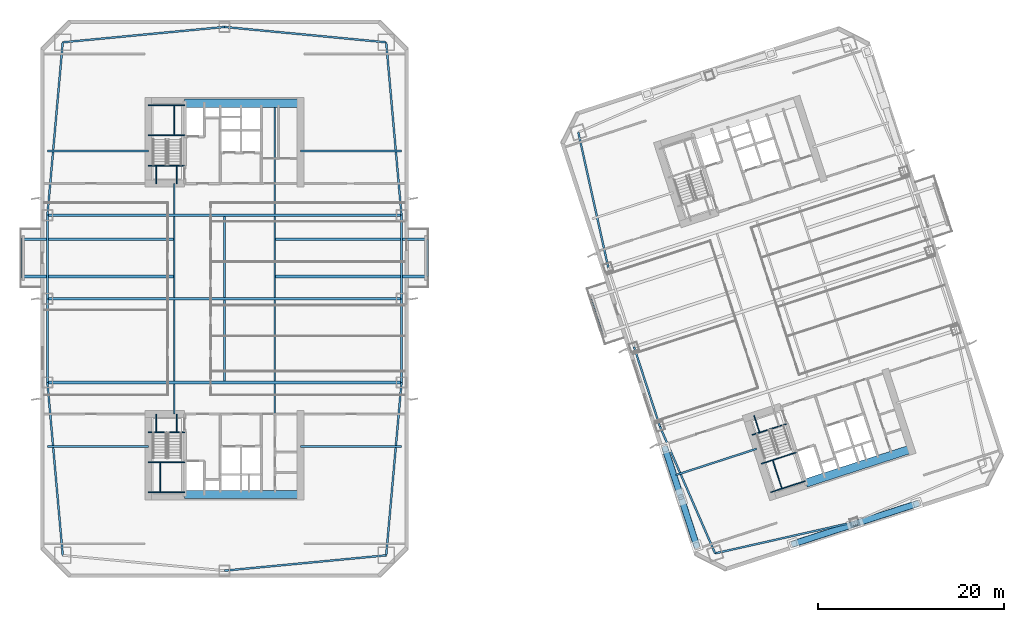
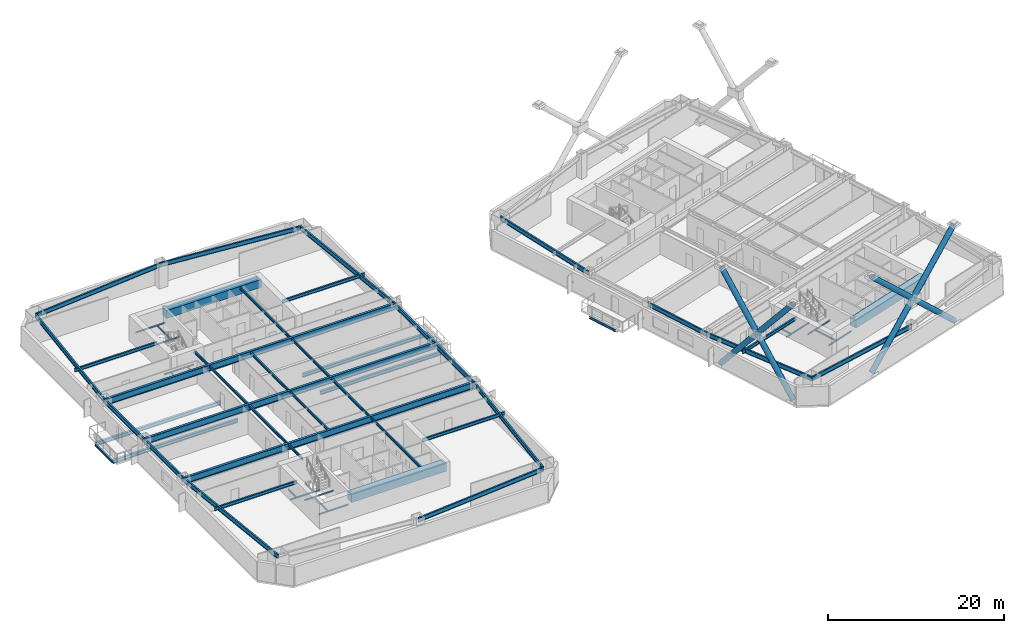
# One storey, part 3 of 19: 60 beams, 8 members.
"""IFC4 building model written with IfcOpenShell, lengths in metres."""

from ifc_helpers import new_model, si_unit, direction, frame, origin, origin_2d, place, context, subcontext, project, spatial, rectangle, hollow_circle, i_section, extrude, material, material_profile, profile_set, type_object, element, save


model = new_model("IFC4")

# Units and contexts
model_context = context("Model", 3, precision=1e-05, world=origin(), true_north=direction((0.0, 1.0)))
body_context = subcontext(model_context, "Body", "Model", "MODEL_VIEW")
ifc_project = project(units=[si_unit("LENGTHUNIT", "METRE"), si_unit("AREAUNIT", "SQUARE_METRE"), si_unit("VOLUMEUNIT", "CUBIC_METRE"), si_unit("PLANEANGLEUNIT", "RADIAN"), si_unit("MASSUNIT", "GRAM", prefix="KILO")], contexts=[model_context])

# Site, building, storey
site_placement = place(None, origin())
site = spatial("IfcSite", under=ifc_project, at=site_placement, CompositionType="ELEMENT")
building_placement = place(site_placement, origin())
building = spatial("IfcBuilding", under=site, at=building_placement, Name="Qiaolan Cultural Towers", CompositionType="ELEMENT")
storey_placement = place(building_placement, frame((0.0, 0.0, 78.199951171875)))
storey = spatial("IfcBuildingStorey", under=building, at=storey_placement, Name="L19", CompositionType="ELEMENT", Elevation=78.199951171875)

# Beams
ifc_material_1 = material(Name="Steel Q355B", Category="steel")
ifc_material_profile_1 = material_profile(ifc_material_1, i_section(OverallWidth=0.300048828125, OverallDepth=0.488037109375, WebThickness=0.010986328125, FlangeThickness=0.01806640625, at=origin_2d()), Name="HM488x300x11x18")
ifc_profile_set_1 = profile_set([ifc_material_profile_1], Name="Steel Q355B")
beam_type_1 = type_object("IfcBeamType", Name="BM-HM488x300x11x18", PredefinedType="BEAM", material=ifc_profile_set_1)
for number, where, z_axis, x_axis, name in (
    (1, (24.60009765625, 36.39990234375, -0.52392578125), (-1.0, 0.0, 0.0), (0.0, -1.0, 0.0), "L19 T1 Tree Balcony Back-Spanned Bracket Beam"),
    (2, (24.60009765625, 40.39990234375, -0.52392578125), (-1.0, 0.0, 0.0), (0.0, -1.0, 0.0), "L19 T1 Tree Balcony Back-Spanned Bracket Beam"),
    (3, (35.39990234375, 36.39990234375, -0.52392578125), (1.0, 0.0, 0.0), (0.0, 1.0, 0.0), "L19 T1 Tree Balcony Back-Spanned Bracket Beam"),
    (4, (35.39990234375, 40.39990234375, -0.52392578125), (1.0, 0.0, 0.0), (0.0, 1.0, 0.0), "L19 T1 Tree Balcony Back-Spanned Bracket Beam"),
):
    element("IfcBeam", number, at=place(storey_placement, frame(where, z_axis=z_axis, x_axis=x_axis)), inside=storey, type_object=beam_type_1, Name=name, PredefinedType="BEAM", context=body_context, shape_type="SweptSolid", body=[
        extrude(i_section(OverallWidth=0.300048828125, OverallDepth=0.488037109375, WebThickness=0.010986328125, FlangeThickness=0.01806640625, at=origin_2d()), origin(), (0.0, 0.0, 1.0), 16.4501953125),
    ])
ifc_material_2 = material(Name="Steel Q355B", Category="steel")
ifc_material_profile_2 = material_profile(ifc_material_2, i_section(OverallWidth=0.300048828125, OverallDepth=0.89990234375, WebThickness=0.01611328125, FlangeThickness=0.028076171875, at=origin_2d()), Name="HN900x300x16x28")
ifc_profile_set_2 = profile_set([ifc_material_profile_2], Name="Steel Q355B")
beam_type_2 = type_object("IfcBeamType", Name="BM-HN900x300x16x28", PredefinedType="BEAM", material=ifc_profile_set_2)
for number, where, z_axis, x_axis, name in (
    (5, (10.949951171875, 25.0, 2.739990234375), (1.0, 0.0, 0.0), (0.0, 1.0, 0.0), "L19 T1 Primary Transverse Girder V1"),
    (6, (10.949951171875, 34.0, 2.739990234375), (1.0, 0.0, 0.0), (0.0, 1.0, 0.0), "L19 T1 Primary Transverse Girder V2"),
    (7, (10.949951171875, 43.0, 2.739990234375), (1.0, 0.0, 0.0), (0.0, 1.0, 0.0), "L19 T1 Primary Transverse Girder V3"),
):
    element("IfcBeam", number, at=place(storey_placement, frame(where, z_axis=z_axis, x_axis=x_axis)), inside=storey, type_object=beam_type_2, Name=name, PredefinedType="BEAM", context=body_context, shape_type="SweptSolid", body=[
        extrude(i_section(OverallWidth=0.300048828125, OverallDepth=0.89990234375, WebThickness=0.01611328125, FlangeThickness=0.028076171875, at=origin_2d()), origin(), (0.0, 0.0, 1.0), 38.10009765625),
    ])
ifc_material_3 = material(Name="Steel Q355B", Category="steel")
ifc_material_profile_3 = material_profile(ifc_material_3, i_section(OverallWidth=0.175048828125, OverallDepth=0.35009765625, WebThickness=0.007080078125, FlangeThickness=0.010986328125, at=origin_2d()), Name="HN350x175x7x11")
ifc_profile_set_3 = profile_set([ifc_material_profile_3], Name="Steel Q355B")
beam_type_3 = type_object("IfcBeamType", Name="BM-JST-HN350x175x7x11", PredefinedType="JOIST", material=ifc_profile_set_3)
for number, where, z_axis, x_axis, name in (
    (8, (8.14990234375, 36.39990234375, -0.52392578125), (0.0, 1.0, 0.0), (-1.0, 0.0, 0.0), "L19 T1 Tree Balcony Outer Edge Beam"),
    (9, (51.85009765625, 36.39990234375, -0.52392578125), (0.0, 1.0, 0.0), (-1.0, 0.0, 0.0), "L19 T1 Tree Balcony Outer Edge Beam"),
    (10, (70.665283203125, 30.2412109375, -0.52392578125), (-0.309022586479, 0.951054699292, 0.0), (-0.951054699292, -0.309022586479, 0.0), "L19 T2 Tree Balcony Outer Edge Beam"),
):
    element("IfcBeam", number, at=place(storey_placement, frame(where, z_axis=z_axis, x_axis=x_axis)), inside=storey, type_object=beam_type_3, Name=name, PredefinedType="JOIST", context=body_context, shape_type="SweptSolid", body=[
        extrude(i_section(OverallWidth=0.175048828125, OverallDepth=0.35009765625, WebThickness=0.007080078125, FlangeThickness=0.010986328125, at=origin_2d()), origin(), (0.0, 0.0, 1.0), 4.0),
    ])
beam_1_placement = place(storey_placement, frame((24.60009765625, 21.60009765625, 3.01513671875), z_axis=(0.0, 1.0, 0.0), x_axis=(-1.0, 0.0, 0.0)))
element("IfcBeam", 11, at=beam_1_placement, inside=storey, type_object=beam_type_3, Name="L19 T1 Secondary Floor Joist U1-1", PredefinedType="JOIST", context=body_context, shape_type="SweptSolid", body=[
    extrude(i_section(OverallWidth=0.175048828125, OverallDepth=0.35009765625, WebThickness=0.007080078125, FlangeThickness=0.010986328125, at=origin_2d()), origin(), (0.0, 0.0, 1.0), 3.25),
])
for number, where, z_axis, x_axis, name in (
    (12, (24.60009765625, 25.14990234375, 3.01513671875), (0.0, 1.0, 0.0), (-1.0, 0.0, 0.0), "L19 T1 Secondary Floor Joist U1-2"),
    (13, (24.60009765625, 34.14990234375, 3.01513671875), (0.0, 1.0, 0.0), (-1.0, 0.0, 0.0), "L19 T1 Secondary Floor Joist U1-3"),
):
    element("IfcBeam", number, at=place(storey_placement, frame(where, z_axis=z_axis, x_axis=x_axis)), inside=storey, type_object=beam_type_3, Name=name, PredefinedType="JOIST", context=body_context, shape_type="SweptSolid", body=[
        extrude(i_section(OverallWidth=0.175048828125, OverallDepth=0.35009765625, WebThickness=0.007080078125, FlangeThickness=0.010986328125, at=origin_2d()), origin(), (0.0, 0.0, 1.0), 8.7001953125),
    ])
beam_2_placement = place(storey_placement, frame((24.60009765625, 43.14990234375, 3.01513671875), z_axis=(0.0, 1.0, 0.0), x_axis=(-1.0, 0.0, 0.0)))
element("IfcBeam", 14, at=beam_2_placement, inside=storey, type_object=beam_type_3, Name="L19 T1 Secondary Floor Joist U1-4", PredefinedType="JOIST", context=body_context, shape_type="SweptSolid", body=[
    extrude(i_section(OverallWidth=0.175048828125, OverallDepth=0.35009765625, WebThickness=0.007080078125, FlangeThickness=0.010986328125, at=origin_2d()), origin(), (0.0, 0.0, 1.0), 3.25),
])
for number, where, z_axis, x_axis, name in (
    (15, (30.0, 25.14990234375, 3.01513671875), (0.0, 1.0, 0.0), (-1.0, 0.0, 0.0), "L19 T1 Secondary Floor Joist U2-2"),
    (16, (30.0, 34.14990234375, 3.01513671875), (0.0, 1.0, 0.0), (-1.0, 0.0, 0.0), "L19 T1 Secondary Floor Joist U2-3"),
):
    element("IfcBeam", number, at=place(storey_placement, frame(where, z_axis=z_axis, x_axis=x_axis)), inside=storey, type_object=beam_type_3, Name=name, PredefinedType="JOIST", context=body_context, shape_type="SweptSolid", body=[
        extrude(i_section(OverallWidth=0.175048828125, OverallDepth=0.35009765625, WebThickness=0.007080078125, FlangeThickness=0.010986328125, at=origin_2d()), origin(), (0.0, 0.0, 1.0), 8.7001953125),
    ])
beam_3_placement = place(storey_placement, frame((35.39990234375, 13.39990234375, 3.01513671875), z_axis=(0.0, 1.0, 0.0), x_axis=(-1.0, 0.0, 0.0)))
element("IfcBeam", 17, at=beam_3_placement, inside=storey, type_object=beam_type_3, Name="L19 T1 Secondary Floor Joist U3-1", PredefinedType="JOIST", context=body_context, shape_type="SweptSolid", body=[
    extrude(i_section(OverallWidth=0.175048828125, OverallDepth=0.35009765625, WebThickness=0.007080078125, FlangeThickness=0.010986328125, at=origin_2d()), origin(), (0.0, 0.0, 1.0), 11.4501953125),
])
for number, where, z_axis, x_axis, name in (
    (18, (35.39990234375, 25.14990234375, 3.01513671875), (0.0, 1.0, 0.0), (-1.0, 0.0, 0.0), "L19 T1 Secondary Floor Joist U3-2"),
    (19, (35.39990234375, 34.14990234375, 3.01513671875), (0.0, 1.0, 0.0), (-1.0, 0.0, 0.0), "L19 T1 Secondary Floor Joist U3-3"),
):
    element("IfcBeam", number, at=place(storey_placement, frame(where, z_axis=z_axis, x_axis=x_axis)), inside=storey, type_object=beam_type_3, Name=name, PredefinedType="JOIST", context=body_context, shape_type="SweptSolid", body=[
        extrude(i_section(OverallWidth=0.175048828125, OverallDepth=0.35009765625, WebThickness=0.007080078125, FlangeThickness=0.010986328125, at=origin_2d()), origin(), (0.0, 0.0, 1.0), 8.7001953125),
    ])
beam_4_placement = place(storey_placement, frame((35.39990234375, 43.14990234375, 3.01513671875), z_axis=(0.0, 1.0, 0.0), x_axis=(-1.0, 0.0, 0.0)))
element("IfcBeam", 20, at=beam_4_placement, inside=storey, type_object=beam_type_3, Name="L19 T1 Secondary Floor Joist U3-4", PredefinedType="JOIST", context=body_context, shape_type="SweptSolid", body=[
    extrude(i_section(OverallWidth=0.175048828125, OverallDepth=0.35009765625, WebThickness=0.007080078125, FlangeThickness=0.010986328125, at=origin_2d()), origin(), (0.0, 0.0, 1.0), 11.4501953125),
])
ifc_material_4 = material(Name="Steel Q355B", Category="steel")
ifc_material_profile_4 = material_profile(ifc_material_4, i_section(OverallWidth=0.199951171875, OverallDepth=0.449951171875, WebThickness=0.009033203125, FlangeThickness=0.013916015625, at=origin_2d()), Name="HN450x200x9x14")
ifc_profile_set_4 = profile_set([ifc_material_profile_4], Name="Steel Q355B")
beam_type_4 = type_object("IfcBeamType", Name="BM-LNT-HN450x200x9x14", PredefinedType="LINTEL", material=ifc_profile_set_4)
for number, where, z_axis, x_axis, name in (
    (21, (21.800048828125, 18.10009765625, 2.965087890625), (-1.0, 0.0, 0.0), (0.0, -1.0, 0.0), "L19 T1 Core Flank Tie Lintel WS"),
    (22, (21.800048828125, 49.89990234375, 2.965087890625), (-1.0, 0.0, 0.0), (0.0, -1.0, 0.0), "L19 T1 Core Flank Tie Lintel WN"),
    (23, (38.199951171875, 18.10009765625, 2.965087890625), (1.0, 0.0, 0.0), (0.0, 1.0, 0.0), "L19 T1 Core Flank Tie Lintel ES"),
    (24, (38.199951171875, 49.89990234375, 2.965087890625), (1.0, 0.0, 0.0), (0.0, 1.0, 0.0), "L19 T1 Core Flank Tie Lintel EN"),
):
    element("IfcBeam", number, at=place(storey_placement, frame(where, z_axis=z_axis, x_axis=x_axis)), inside=storey, type_object=beam_type_4, Name=name, PredefinedType="LINTEL", context=body_context, shape_type="SweptSolid", body=[
        extrude(i_section(OverallWidth=0.199951171875, OverallDepth=0.449951171875, WebThickness=0.009033203125, FlangeThickness=0.013916015625, at=origin_2d()), origin(), (0.0, 0.0, 1.0), 10.85009765625),
    ])
beam_5_placement = place(storey_placement, frame((87.252685546875, 17.861083984375, 2.965087890625), z_axis=(-0.951059948176, -0.309006431933, 0.0), x_axis=(0.309006431933, -0.951059948176, 0.0)))
element("IfcBeam", 25, at=beam_5_placement, inside=storey, type_object=beam_type_4, Name="L19 T2 Core Flank Tie Lintel WS", PredefinedType="LINTEL", context=body_context, shape_type="SweptSolid", body=[
    extrude(i_section(OverallWidth=0.199951171875, OverallDepth=0.449951171875, WebThickness=0.009033203125, FlangeThickness=0.013916015625, at=origin_2d()), origin(), (0.0, 0.0, 1.0), 9.14990234375),
])
ifc_material_5 = material(Name="Concrete C50", Category="concrete")
ifc_material_profile_5 = material_profile(ifc_material_5, rectangle(XDim=0.89990234375, YDim=1.10009765625, at=origin_2d()), Name="RC900x1100")
ifc_profile_set_5 = profile_set([ifc_material_profile_5], Name="Concrete C50")
beam_type_5 = type_object("IfcBeamType", Name="BM-RC900x1100", PredefinedType="BEAM", material=ifc_profile_set_5)
for number, where, z_axis, x_axis, name in (
    (26, (25.719970703125, 12.949951171875, 2.64013671875), (1.0, 0.0, 0.0), (0.0, 1.0, 0.0), "L19 T1 Core Header Girder S"),
    (27, (25.719970703125, 55.050048828125, 2.64013671875), (1.0, 0.0, 0.0), (0.0, 1.0, 0.0), "L19 T1 Core Header Girder N"),
):
    element("IfcBeam", number, at=place(storey_placement, frame(where, z_axis=z_axis, x_axis=x_axis)), inside=storey, type_object=beam_type_5, Name=name, PredefinedType="BEAM", context=body_context, shape_type="SweptSolid", body=[
        extrude(rectangle(XDim=0.89990234375, YDim=1.10009765625, at=origin_2d()), origin(), (0.0, 0.0, 1.0), 12.47998046875),
    ])
beam_6_placement = place(storey_placement, frame((92.572265625, 14.174560546875, 2.64013671875), z_axis=(0.951056266386, 0.309017763514, 0.0), x_axis=(-0.309017763514, 0.951056266386, 0.0)))
element("IfcBeam", 28, at=beam_6_placement, inside=storey, type_object=beam_type_5, Name="L19 T2 Core Header Girder S", PredefinedType="BEAM", context=body_context, shape_type="SweptSolid", body=[
    extrude(rectangle(XDim=0.89990234375, YDim=1.10009765625, at=origin_2d()), origin(), (0.0, 0.0, 1.0), 11.880126953125),
])
ifc_material_6 = material(Name="Steel Q355B", Category="steel")
ifc_material_profile_6 = material_profile(ifc_material_6, i_section(OverallWidth=0.199951171875, OverallDepth=0.60009765625, WebThickness=0.010986328125, FlangeThickness=0.01708984375, at=origin_2d()), Name="HN600x200x11x17")
ifc_profile_set_6 = profile_set([ifc_material_profile_6], Name="Steel Q355B")
beam_type_6 = type_object("IfcBeamType", Name="BM-SPD-HN600x200x11x17", PredefinedType="SPANDREL", material=ifc_profile_set_6)
beam_7_placement = place(storey_placement, frame((30.0, 4.75, 2.89013671875), z_axis=(0.995534437156, 0.094399070104, 0.0), x_axis=(-0.094399070104, 0.995534437156, 0.0)))
element("IfcBeam", 29, at=beam_7_placement, inside=storey, type_object=beam_type_6, Name="L19 T1 Perimeter Spandrel Beam 2", PredefinedType="SPANDREL", context=body_context, shape_type="SweptSolid", body=[
    extrude(i_section(OverallWidth=0.199951171875, OverallDepth=0.60009765625, WebThickness=0.010986328125, FlangeThickness=0.01708984375, at=origin_2d()), origin(), (0.0, 0.0, 1.0), 17.47802734375),
])
beam_8_placement = place(storey_placement, frame((47.39990234375, 6.39990234375, 2.89013671875), z_axis=(0.08837000091, 0.996087718496, 0.0), x_axis=(-0.996087718496, 0.08837000091, 0.0)))
element("IfcBeam", 30, at=beam_8_placement, inside=storey, type_object=beam_type_6, Name="L19 T1 Perimeter Spandrel Beam 3", PredefinedType="SPANDREL", context=body_context, shape_type="SweptSolid", body=[
    extrude(i_section(OverallWidth=0.199951171875, OverallDepth=0.60009765625, WebThickness=0.010986328125, FlangeThickness=0.01708984375, at=origin_2d()), origin(), (0.0, 0.0, 1.0), 18.673095703125),
])
for number, where, z_axis, x_axis, name in (
    (31, (49.050048828125, 25.0, 2.89013671875), (0.0, 1.0, 0.0), (-1.0, 0.0, 0.0), "L19 T1 Perimeter Spandrel Beam 4"),
    (32, (49.050048828125, 34.0, 2.89013671875), (0.0, 1.0, 0.0), (-1.0, 0.0, 0.0), "L19 T1 Perimeter Spandrel Beam 5"),
):
    element("IfcBeam", number, at=place(storey_placement, frame(where, z_axis=z_axis, x_axis=x_axis)), inside=storey, type_object=beam_type_6, Name=name, PredefinedType="SPANDREL", context=body_context, shape_type="SweptSolid", body=[
        extrude(i_section(OverallWidth=0.199951171875, OverallDepth=0.60009765625, WebThickness=0.010986328125, FlangeThickness=0.01708984375, at=origin_2d()), origin(), (0.0, 0.0, 1.0), 9.0),
    ])
beam_9_placement = place(storey_placement, frame((49.050048828125, 43.0, 2.89013671875), z_axis=(-0.08837000091, 0.996087718496, 0.0), x_axis=(-0.996087718496, -0.08837000091, 0.0)))
element("IfcBeam", 33, at=beam_9_placement, inside=storey, type_object=beam_type_6, Name="L19 T1 Perimeter Spandrel Beam 6", PredefinedType="SPANDREL", context=body_context, shape_type="SweptSolid", body=[
    extrude(i_section(OverallWidth=0.199951171875, OverallDepth=0.60009765625, WebThickness=0.010986328125, FlangeThickness=0.01708984375, at=origin_2d()), origin(), (0.0, 0.0, 1.0), 18.673095703125),
])
for number, where, z_axis, x_axis, name in (
    (34, (47.39990234375, 61.60009765625, 2.89013671875), (-0.995534437156, 0.094399070104, 0.0), (-0.094399070104, -0.995534437156, 0.0), "L19 T1 Perimeter Spandrel Beam 7"),
    (35, (30.0, 63.25, 2.89013671875), (-0.995534437156, -0.094399070104, 0.0), (0.094399070104, -0.995534437156, 0.0), "L19 T1 Perimeter Spandrel Beam 8"),
):
    element("IfcBeam", number, at=place(storey_placement, frame(where, z_axis=z_axis, x_axis=x_axis)), inside=storey, type_object=beam_type_6, Name=name, PredefinedType="SPANDREL", context=body_context, shape_type="SweptSolid", body=[
        extrude(i_section(OverallWidth=0.199951171875, OverallDepth=0.60009765625, WebThickness=0.010986328125, FlangeThickness=0.01708984375, at=origin_2d()), origin(), (0.0, 0.0, 1.0), 17.47802734375),
    ])
beam_10_placement = place(storey_placement, frame((12.60009765625, 61.60009765625, 2.89013671875), z_axis=(-0.08837000091, -0.996087718496, 0.0), x_axis=(0.996087718496, -0.08837000091, 0.0)))
element("IfcBeam", 36, at=beam_10_placement, inside=storey, type_object=beam_type_6, Name="L19 T1 Perimeter Spandrel Beam 9", PredefinedType="SPANDREL", context=body_context, shape_type="SweptSolid", body=[
    extrude(i_section(OverallWidth=0.199951171875, OverallDepth=0.60009765625, WebThickness=0.010986328125, FlangeThickness=0.01708984375, at=origin_2d()), origin(), (0.0, 0.0, 1.0), 18.673095703125),
])
for number, where, z_axis, x_axis, name in (
    (37, (10.949951171875, 43.0, 2.89013671875), (0.0, -1.0, 0.0), (1.0, 0.0, 0.0), "L19 T1 Perimeter Spandrel Beam 10"),
    (38, (10.949951171875, 34.0, 2.89013671875), (0.0, -1.0, 0.0), (1.0, 0.0, 0.0), "L19 T1 Perimeter Spandrel Beam 11"),
):
    element("IfcBeam", number, at=place(storey_placement, frame(where, z_axis=z_axis, x_axis=x_axis)), inside=storey, type_object=beam_type_6, Name=name, PredefinedType="SPANDREL", context=body_context, shape_type="SweptSolid", body=[
        extrude(i_section(OverallWidth=0.199951171875, OverallDepth=0.60009765625, WebThickness=0.010986328125, FlangeThickness=0.01708984375, at=origin_2d()), origin(), (0.0, 0.0, 1.0), 9.0),
    ])
beam_11_placement = place(storey_placement, frame((10.949951171875, 25.0, 2.89013671875), z_axis=(0.08837000091, -0.996087718496, 0.0), x_axis=(0.996087718496, 0.08837000091, 0.0)))
element("IfcBeam", 39, at=beam_11_placement, inside=storey, type_object=beam_type_6, Name="L19 T1 Perimeter Spandrel Beam 12", PredefinedType="SPANDREL", context=body_context, shape_type="SweptSolid", body=[
    extrude(i_section(OverallWidth=0.199951171875, OverallDepth=0.60009765625, WebThickness=0.010986328125, FlangeThickness=0.01708984375, at=origin_2d()), origin(), (0.0, 0.0, 1.0), 18.673095703125),
])
beam_12_placement = place(storey_placement, frame((82.79052734375, 6.611572265625, 2.89013671875), z_axis=(0.975658154374, 0.219296980836, 0.0), x_axis=(-0.219296980836, 0.975658154374, 0.0)))
element("IfcBeam", 40, at=beam_12_placement, inside=storey, type_object=beam_type_6, Name="L19 T2 Perimeter Spandrel Beam 1", PredefinedType="SPANDREL", context=body_context, shape_type="SweptSolid", body=[
    extrude(i_section(OverallWidth=0.199951171875, OverallDepth=0.60009765625, WebThickness=0.010986328125, FlangeThickness=0.01708984375, at=origin_2d()), origin(), (0.0, 0.0, 1.0), 15.38671875),
])
beam_13_placement = place(storey_placement, frame((68.069091796875, 51.919921875, 2.89013671875), z_axis=(0.216237644833, -0.976340760676, 0.0), x_axis=(0.976340760676, 0.216237644833, 0.0)))
element("IfcBeam", 41, at=beam_13_placement, inside=storey, type_object=beam_type_6, Name="L19 T2 Perimeter Spandrel Beam 9", PredefinedType="SPANDREL", context=body_context, shape_type="SweptSolid", body=[
    extrude(i_section(OverallWidth=0.199951171875, OverallDepth=0.60009765625, WebThickness=0.010986328125, FlangeThickness=0.01708984375, at=origin_2d()), origin(), (0.0, 0.0, 1.0), 14.888671875),
])
beam_14_placement = place(storey_placement, frame((74.06982421875, 28.823974609375, 2.89013671875), z_axis=(0.309024734286, -0.951054001411, 0.0), x_axis=(0.951054001411, 0.309024734286, 0.0)))
element("IfcBeam", 42, at=beam_14_placement, inside=storey, type_object=beam_type_6, Name="L19 T2 Perimeter Spandrel Beam 11", PredefinedType="SPANDREL", context=body_context, shape_type="SweptSolid", body=[
    extrude(i_section(OverallWidth=0.199951171875, OverallDepth=0.60009765625, WebThickness=0.010986328125, FlangeThickness=0.01708984375, at=origin_2d()), origin(), (0.0, 0.0, 1.0), 9.0),
])
beam_15_placement = place(storey_placement, frame((76.85107421875, 20.264404296875, 2.89013671875), z_axis=(0.398920370799, -0.916985571185, 0.0), x_axis=(0.916985571185, 0.398920370799, 0.0)))
element("IfcBeam", 43, at=beam_15_placement, inside=storey, type_object=beam_type_6, Name="L19 T2 Perimeter Spandrel Beam 12", PredefinedType="SPANDREL", context=body_context, shape_type="SweptSolid", body=[
    extrude(i_section(OverallWidth=0.199951171875, OverallDepth=0.60009765625, WebThickness=0.010986328125, FlangeThickness=0.01708984375, at=origin_2d()), origin(), (0.0, 0.0, 1.0), 14.888916015625),
])
ifc_material_7 = material(Name="Steel Q355B", Category="steel")
ifc_material_profile_7 = material_profile(ifc_material_7, i_section(OverallWidth=0.10009765625, OverallDepth=0.199951171875, WebThickness=0.005615234375, FlangeThickness=0.008056640625, at=origin_2d()), Name="HN200x100x5.5x8")
ifc_profile_set_7 = profile_set([ifc_material_profile_7], Name="Steel Q355B")
beam_type_7 = type_object("IfcBeamType", Name="BM-STTRIM-200", PredefinedType="BEAM", material=ifc_profile_set_7)
beam_16_placement = place(storey_placement, frame((21.800048828125, 19.659912109375, -0.4599609375), z_axis=(1.0, 0.0, 0.0), x_axis=(0.0, 1.0, 0.0)))
element("IfcBeam", 44, at=beam_16_placement, inside=storey, type_object=beam_type_7, Name="L19 ST-W1 Floor Landing Header Beam", PredefinedType="BEAM", context=body_context, shape_type="SweptSolid", body=[
    extrude(i_section(OverallWidth=0.10009765625, OverallDepth=0.199951171875, WebThickness=0.005615234375, FlangeThickness=0.008056640625, at=origin_2d()), origin(), (0.0, 0.0, 1.0), 3.919921875),
])
for number, where, z_axis, x_axis, name in (
    (45, (22.64990234375, 21.60009765625, -0.4599609375), (0.0, -1.0, 0.0), (1.0, 0.0, 0.0), "L19 ST-W1 Floor Landing Stringer 1"),
    (46, (24.85009765625, 21.60009765625, -0.4599609375), (0.0, -1.0, 0.0), (1.0, 0.0, 0.0), "L19 ST-W1 Floor Landing Stringer 2"),
):
    element("IfcBeam", number, at=place(storey_placement, frame(where, z_axis=z_axis, x_axis=x_axis)), inside=storey, type_object=beam_type_7, Name=name, PredefinedType="BEAM", context=body_context, shape_type="SweptSolid", body=[
        extrude(i_section(OverallWidth=0.10009765625, OverallDepth=0.199951171875, WebThickness=0.005615234375, FlangeThickness=0.008056640625, at=origin_2d()), origin(), (0.0, 0.0, 1.0), 1.940185546875),
    ])
for number, where, z_axis, x_axis, name in (
    (47, (21.800048828125, 16.411376953125, 1.425048828125), (1.0, 0.0, 0.0), (0.0, 1.0, 0.0), "L19 ST-W1 Stair Landing Support Beam 1-1"),
    (48, (21.800048828125, 13.179931640625, 1.425048828125), (1.0, 0.0, 0.0), (0.0, 1.0, 0.0), "L19 ST-W1 Stair Landing Support Beam 1-2"),
):
    element("IfcBeam", number, at=place(storey_placement, frame(where, z_axis=z_axis, x_axis=x_axis)), inside=storey, type_object=beam_type_7, Name=name, PredefinedType="BEAM", context=body_context, shape_type="SweptSolid", body=[
        extrude(i_section(OverallWidth=0.10009765625, OverallDepth=0.199951171875, WebThickness=0.005615234375, FlangeThickness=0.008056640625, at=origin_2d()), origin(), (0.0, 0.0, 1.0), 3.919921875),
    ])
beam_17_placement = place(storey_placement, frame((23.070068359375, 16.411376953125, 1.425048828125), z_axis=(0.0, -1.0, 0.0), x_axis=(1.0, 0.0, 0.0)))
element("IfcBeam", 49, at=beam_17_placement, inside=storey, type_object=beam_type_7, Name="L19 ST-W1 Stair Landing Trimmer 1", PredefinedType="BEAM", context=body_context, shape_type="SweptSolid", body=[
    extrude(i_section(OverallWidth=0.10009765625, OverallDepth=0.199951171875, WebThickness=0.005615234375, FlangeThickness=0.008056640625, at=origin_2d()), origin(), (0.0, 0.0, 1.0), 3.2314453125),
])
beam_18_placement = place(storey_placement, frame((21.800048828125, 48.340087890625, -0.4599609375), z_axis=(1.0, 0.0, 0.0), x_axis=(0.0, 1.0, 0.0)))
element("IfcBeam", 50, at=beam_18_placement, inside=storey, type_object=beam_type_7, Name="L19 ST-W2 Floor Landing Header Beam", PredefinedType="BEAM", context=body_context, shape_type="SweptSolid", body=[
    extrude(i_section(OverallWidth=0.10009765625, OverallDepth=0.199951171875, WebThickness=0.005615234375, FlangeThickness=0.008056640625, at=origin_2d()), origin(), (0.0, 0.0, 1.0), 3.919921875),
])
for number, where, z_axis, x_axis, name in (
    (51, (22.64990234375, 46.39990234375, -0.4599609375), (0.0, 1.0, 0.0), (-1.0, 0.0, 0.0), "L19 ST-W2 Floor Landing Stringer 1"),
    (52, (24.85009765625, 46.39990234375, -0.4599609375), (0.0, 1.0, 0.0), (-1.0, 0.0, 0.0), "L19 ST-W2 Floor Landing Stringer 2"),
):
    element("IfcBeam", number, at=place(storey_placement, frame(where, z_axis=z_axis, x_axis=x_axis)), inside=storey, type_object=beam_type_7, Name=name, PredefinedType="BEAM", context=body_context, shape_type="SweptSolid", body=[
        extrude(i_section(OverallWidth=0.10009765625, OverallDepth=0.199951171875, WebThickness=0.005615234375, FlangeThickness=0.008056640625, at=origin_2d()), origin(), (0.0, 0.0, 1.0), 1.940185546875),
    ])
for number, where, z_axis, x_axis, name in (
    (53, (21.800048828125, 51.588623046875, 1.425048828125), (1.0, 0.0, 0.0), (0.0, 1.0, 0.0), "L19 ST-W2 Stair Landing Support Beam 1-1"),
    (54, (21.800048828125, 54.820068359375, 1.425048828125), (1.0, 0.0, 0.0), (0.0, 1.0, 0.0), "L19 ST-W2 Stair Landing Support Beam 1-2"),
):
    element("IfcBeam", number, at=place(storey_placement, frame(where, z_axis=z_axis, x_axis=x_axis)), inside=storey, type_object=beam_type_7, Name=name, PredefinedType="BEAM", context=body_context, shape_type="SweptSolid", body=[
        extrude(i_section(OverallWidth=0.10009765625, OverallDepth=0.199951171875, WebThickness=0.005615234375, FlangeThickness=0.008056640625, at=origin_2d()), origin(), (0.0, 0.0, 1.0), 3.919921875),
    ])
beam_19_placement = place(storey_placement, frame((24.610107421875, 51.588623046875, 1.425048828125), z_axis=(0.0, 1.0, 0.0), x_axis=(-1.0, 0.0, 0.0)))
element("IfcBeam", 55, at=beam_19_placement, inside=storey, type_object=beam_type_7, Name="L19 ST-W2 Stair Landing Trimmer 1", PredefinedType="BEAM", context=body_context, shape_type="SweptSolid", body=[
    extrude(i_section(OverallWidth=0.10009765625, OverallDepth=0.199951171875, WebThickness=0.005615234375, FlangeThickness=0.008056640625, at=origin_2d()), origin(), (0.0, 0.0, 1.0), 3.2314453125),
])
beam_20_placement = place(storey_placement, frame((86.770751953125, 19.3447265625, -0.4599609375), z_axis=(0.951047798727, 0.309043823005, 0.0), x_axis=(-0.309043823005, 0.951047798727, 0.0)))
element("IfcBeam", 56, at=beam_20_placement, inside=storey, type_object=beam_type_7, Name="L19 ST-E1 Floor Landing Header Beam", PredefinedType="BEAM", context=body_context, shape_type="SweptSolid", body=[
    extrude(i_section(OverallWidth=0.10009765625, OverallDepth=0.199951171875, WebThickness=0.005615234375, FlangeThickness=0.008056640625, at=origin_2d()), origin(), (0.0, 0.0, 1.0), 3.919921875),
])
beam_21_placement = place(storey_placement, frame((86.9794921875, 21.452392578125, -0.4599609375), z_axis=(0.309083226701, -0.951034993558, 0.0), x_axis=(0.951034993558, 0.309083226701, 0.0)))
element("IfcBeam", 57, at=beam_21_placement, inside=storey, type_object=beam_type_7, Name="L19 ST-E1 Floor Landing Stringer 1", PredefinedType="BEAM", context=body_context, shape_type="SweptSolid", body=[
    extrude(i_section(OverallWidth=0.10009765625, OverallDepth=0.199951171875, WebThickness=0.005615234375, FlangeThickness=0.008056640625, at=origin_2d()), origin(), (0.0, 0.0, 1.0), 1.93994140625),
])
for number, where, z_axis, x_axis, name in (
    (58, (87.774658203125, 16.255126953125, 1.425048828125), (0.951047798727, 0.309043823005, 0.0), (-0.309043823005, 0.951047798727, 0.0), "L19 ST-E1 Stair Landing Support Beam 1-1"),
    (59, (88.773193359375, 13.181884765625, 1.425048828125), (0.951047798727, 0.309043823005, 0.0), (-0.309043823005, 0.951047798727, 0.0), "L19 ST-E1 Stair Landing Support Beam 1-2"),
):
    element("IfcBeam", number, at=place(storey_placement, frame(where, z_axis=z_axis, x_axis=x_axis)), inside=storey, type_object=beam_type_7, Name=name, PredefinedType="BEAM", context=body_context, shape_type="SweptSolid", body=[
        extrude(i_section(OverallWidth=0.10009765625, OverallDepth=0.199951171875, WebThickness=0.005615234375, FlangeThickness=0.008056640625, at=origin_2d()), origin(), (0.0, 0.0, 1.0), 3.919921875),
    ])
beam_22_placement = place(storey_placement, frame((88.982421875, 16.6474609375, 1.425048828125), z_axis=(0.309033108495, -0.951051280349, 0.0), x_axis=(0.951051280349, 0.309033108495, 0.0)))
element("IfcBeam", 60, at=beam_22_placement, inside=storey, type_object=beam_type_7, Name="L19 ST-E1 Stair Landing Trimmer 1", PredefinedType="BEAM", context=body_context, shape_type="SweptSolid", body=[
    extrude(i_section(OverallWidth=0.10009765625, OverallDepth=0.199951171875, WebThickness=0.005615234375, FlangeThickness=0.008056640625, at=origin_2d()), origin(), (0.0, 0.0, 1.0), 3.231201171875),
])

# Members
ifc_material_8 = material(Name="Steel Q355B", Category="steel")
ifc_material_profile_8 = material_profile(ifc_material_8, hollow_circle(Radius=0.35009765625, WallThickness=0.034912109375, at=origin_2d()), Name="CHS700x35")
ifc_profile_set_8 = profile_set([ifc_material_profile_8], Name="Steel Q355B")
member_type = type_object("IfcMemberType", Name="MBR-BRC-CHS700x35", PredefinedType="BRACE", material=ifc_profile_set_8)
member_1_placement = place(storey_placement, frame((80.817138671875, 7.410888671875, 0.150146484375), z_axis=(-0.19706247337, 0.606430599707, 0.770330000278), x_axis=(-0.951046732174, -0.309047105182, 0.0)))
element("IfcMember", 61, at=member_1_placement, inside=storey, type_object=member_type, Name="T2 WEST Perimeter Frame Diagonal E-Z2-M1-D1A", PredefinedType="BRACE", context=body_context, shape_type="SweptSolid", body=[
    extrude(hollow_circle(Radius=0.35009765625, WallThickness=0.034912109375, at=origin_2d()), origin(), (0.0, 0.0, 1.0), 8.664794921875),
])
member_2_placement = place(storey_placement, frame((79.109619140625, 12.66552734375, 6.824951171875), z_axis=(-0.197031114792, 0.606420804185, 0.770345732808), x_axis=(-0.951059719012, -0.309007137251, 0.0)))
element("IfcMember", 62, at=member_2_placement, inside=storey, type_object=member_type, Name="T2 WEST Perimeter Frame Diagonal E-Z2-M1-D1B", PredefinedType="BRACE", context=body_context, shape_type="SweptSolid", body=[
    extrude(hollow_circle(Radius=0.35009765625, WallThickness=0.034912109375, at=origin_2d()), origin(), (0.0, 0.0, 1.0), 8.6650390625),
])
member_3_placement = place(storey_placement, frame((77.40234375, 17.920166015625, 0.150146484375), z_axis=(0.197035391385, -0.606433966651, 0.770334277203), x_axis=(0.951059719012, 0.309007137251, 0.0)))
element("IfcMember", 63, at=member_3_placement, inside=storey, type_object=member_type, Name="T2 WEST Perimeter Frame Diagonal E-Z2-M1-D2A", PredefinedType="BRACE", context=body_context, shape_type="SweptSolid", body=[
    extrude(hollow_circle(Radius=0.35009765625, WallThickness=0.034912109375, at=origin_2d()), origin(), (0.0, 0.0, 1.0), 8.664794921875),
])
member_4_placement = place(storey_placement, frame((79.109619140625, 12.66552734375, 6.824951171875), z_axis=(0.197058196236, -0.60641743746, 0.770341456005), x_axis=(0.951046732174, 0.309047105182, 0.0)))
element("IfcMember", 64, at=member_4_placement, inside=storey, type_object=member_type, Name="T2 WEST Perimeter Frame Diagonal E-Z2-M1-D2B", PredefinedType="BRACE", context=body_context, shape_type="SweptSolid", body=[
    extrude(hollow_circle(Radius=0.35009765625, WallThickness=0.034912109375, at=origin_2d()), origin(), (0.0, 0.0, 1.0), 8.6650390625),
])
member_5_placement = place(storey_placement, frame((91.20703125, 7.632568359375, 0.150146484375), z_axis=(0.688300959012, 0.223636601887, 0.690093080765), x_axis=(-0.309009574742, 0.951058927048, 0.0)))
element("IfcMember", 65, at=member_5_placement, inside=storey, type_object=member_type, Name="T2 SOUTH Perimeter Frame Diagonal E-Z2-M1-D1A", PredefinedType="BRACE", context=body_context, shape_type="SweptSolid", body=[
    extrude(hollow_circle(Radius=0.35009765625, WallThickness=0.034912109375, at=origin_2d()), origin(), (0.0, 0.0, 1.0), 9.67236328125),
])
member_6_placement = place(storey_placement, frame((97.864501953125, 9.795654296875, 6.824951171875), z_axis=(0.688288969768, 0.223632706448, 0.690106301016), x_axis=(-0.309009574742, 0.951058927048, 0.0)))
element("IfcMember", 66, at=member_6_placement, inside=storey, type_object=member_type, Name="T2 SOUTH Perimeter Frame Diagonal E-Z2-M1-D1B", PredefinedType="BRACE", context=body_context, shape_type="SweptSolid", body=[
    extrude(hollow_circle(Radius=0.35009765625, WallThickness=0.034912109375, at=origin_2d()), origin(), (0.0, 0.0, 1.0), 9.672607421875),
])
member_7_placement = place(storey_placement, frame((104.52197265625, 11.958740234375, 0.150146484375), z_axis=(-0.688300959012, -0.223636601887, 0.690093080765), x_axis=(0.309009574742, -0.951058927048, 0.0)))
element("IfcMember", 67, at=member_7_placement, inside=storey, type_object=member_type, Name="T2 SOUTH Perimeter Frame Diagonal E-Z2-M1-D2A", PredefinedType="BRACE", context=body_context, shape_type="SweptSolid", body=[
    extrude(hollow_circle(Radius=0.35009765625, WallThickness=0.034912109375, at=origin_2d()), origin(), (0.0, 0.0, 1.0), 9.67236328125),
])
member_8_placement = place(storey_placement, frame((97.864501953125, 9.795654296875, 6.824951171875), z_axis=(-0.688288969768, -0.223632706448, 0.690106301016), x_axis=(0.309009574742, -0.951058927048, 0.0)))
element("IfcMember", 68, at=member_8_placement, inside=storey, type_object=member_type, Name="T2 SOUTH Perimeter Frame Diagonal E-Z2-M1-D2B", PredefinedType="BRACE", context=body_context, shape_type="SweptSolid", body=[
    extrude(hollow_circle(Radius=0.35009765625, WallThickness=0.034912109375, at=origin_2d()), origin(), (0.0, 0.0, 1.0), 9.672607421875),
])

save(model, "model.ifc")
